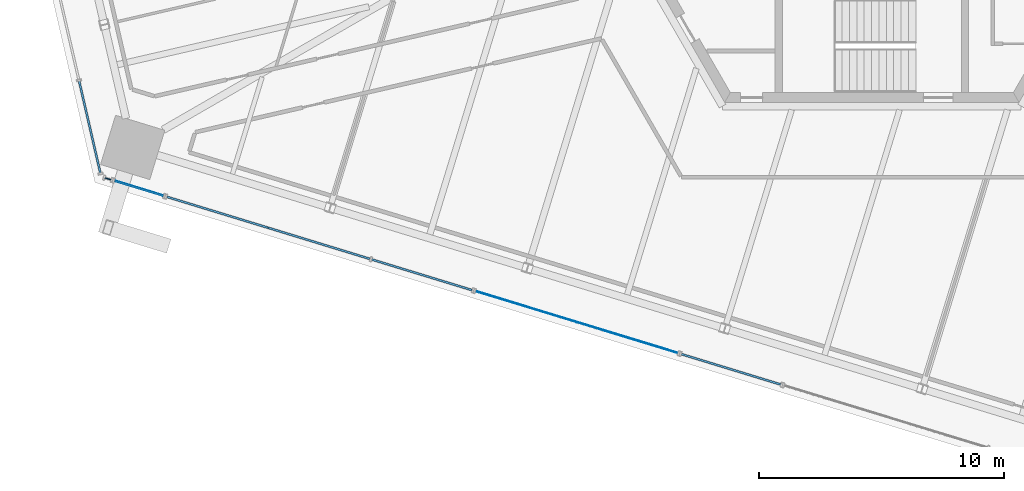
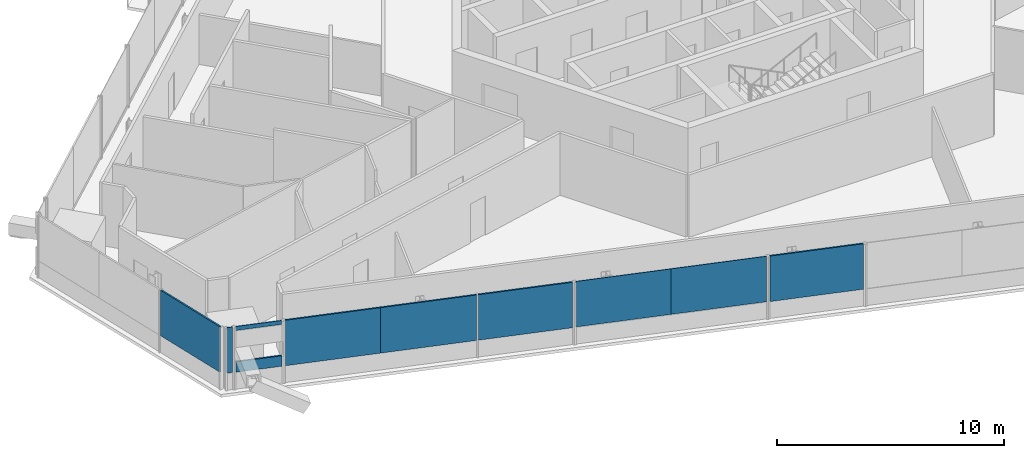
# One storey, part 13 of 25: 10 plates, 7 elements without a shape of their own.
"""IFC4 building model written with IfcOpenShell, lengths in metres."""

from ifc_helpers import new_model, si_unit, direction, frame, origin, origin_2d, place, context, subcontext, project, spatial, rectangle, extrude, source, transform, mapped, material, layer, layer_set, type_object, element, aggregate, save


model = new_model("IFC4")

# Units and contexts
model_context = context("Model", 3, precision=1e-05, world=origin(), true_north=direction((0.0, 1.0)))
body_context = subcontext(model_context, "Body", "Model", "MODEL_VIEW")
ifc_project = project(units=[si_unit("LENGTHUNIT", "METRE"), si_unit("AREAUNIT", "SQUARE_METRE"), si_unit("VOLUMEUNIT", "CUBIC_METRE"), si_unit("PLANEANGLEUNIT", "RADIAN"), si_unit("MASSUNIT", "GRAM", prefix="KILO")], contexts=[model_context])

# Site, building, storey
site_placement = place(None, origin())
site = spatial("IfcSite", under=ifc_project, at=site_placement, CompositionType="ELEMENT")
building_placement = place(site_placement, origin())
building = spatial("IfcBuilding", under=site, at=building_placement, Name="Triune Harvest Tower", CompositionType="ELEMENT")
storey_placement = place(building_placement, frame((0.0, 0.0, 130.699951171875)))
storey = spatial("IfcBuildingStorey", under=building, at=storey_placement, Name="L33", CompositionType="ELEMENT", Elevation=130.699951171875)

# Curtain wall, plates
ifc_material_1 = material(Name="Aluminium bronze anodised", Category="aluminium")
curtain_wall_type_1 = type_object("IfcCurtainWallType", Name="CW-7 Tower stick curtain wall with insulated spandrel infill", PredefinedType="NOTDEFINED", material=ifc_material_1)
curtain_wall_1_placement = place(storey_placement, origin())
curtain_wall_1 = element("IfcCurtainWall", 1, at=curtain_wall_1_placement, inside=storey, type_object=curtain_wall_type_1, Name="CW-7 B3-F5 L33 run 301")
ifc_material_2 = material(Name="Insulated spandrel panel, bronze aluminium pan", Category="aluminium")
ifc_layer_1 = layer(ifc_material_2, 0.080078125)
ifc_layer_set_1 = layer_set([ifc_layer_1], Name="Insulated spandrel panel, bronze aluminium pan")
plate_type_1 = type_object("IfcPlateType", Name="SP-1 insulated spandrel panel 80", PredefinedType="CURTAIN_PANEL", material=ifc_layer_set_1)
shared_shape_1 = source(origin(), body_context, "Body", "SweptSolid", [
    extrude(rectangle(XDim=4.311767578125, YDim=0.080078125, at=origin_2d()), origin(), (0.0, 0.0, 1.0), 2.449951171875),
])
plate_1_placement = place(storey_placement, frame((-26.6796875, -14.87353515625, 0.89990234375), z_axis=(0.0, 0.0, 1.0), x_axis=(0.956305018244, -0.292370846839, 0.0)))
plate_1 = element("IfcPlate", 2, at=plate_1_placement, type_object=plate_type_1, Name="CW-7 panel B3-F5 301.1", PredefinedType="CURTAIN_PANEL", context=body_context, shape_type="MappedRepresentation", body=[
    mapped(shared_shape_1, transform((0.0, 0.0, 0.0), scale=1.0)),
])
shared_shape_2 = source(origin(), body_context, "Body", "SweptSolid", [
    extrude(rectangle(XDim=4.349365234375, YDim=0.080078125, at=origin_2d()), origin(), (0.0, 0.0, 1.0), 2.449951171875),
])
plate_2_placement = place(storey_placement, frame((-22.538330078125, -16.1396484375, 0.89990234375), z_axis=(0.0, 0.0, 1.0), x_axis=(0.956305018244, -0.292370846839, 0.0)))
plate_2 = element("IfcPlate", 3, at=plate_2_placement, type_object=plate_type_1, Name="CW-7 panel B3-F5 301.2", PredefinedType="CURTAIN_PANEL", context=body_context, shape_type="MappedRepresentation", body=[
    mapped(shared_shape_2, transform((0.0, 0.0, 0.0), scale=1.0)),
])
shared_shape_3 = source(origin(), body_context, "Body", "SweptSolid", [
    extrude(rectangle(XDim=4.274169921875, YDim=0.080078125, at=origin_2d()), origin(), (0.0, 0.0, 1.0), 2.449951171875),
])
plate_3_placement = place(storey_placement, frame((-18.34326171875, -17.42236328125, 0.89990234375), z_axis=(0.0, 0.0, 1.0), x_axis=(0.956305018244, -0.292370846839, 0.0)))
plate_3 = element("IfcPlate", 4, at=plate_3_placement, type_object=plate_type_1, Name="CW-7 panel B3-F5 301.3", PredefinedType="CURTAIN_PANEL", context=body_context, shape_type="MappedRepresentation", body=[
    mapped(shared_shape_3, transform((0.0, 0.0, 0.0), scale=1.0)),
])
aggregate(curtain_wall_1, [plate_1, plate_2, plate_3])

# Curtain wall, plate
curtain_wall_2_placement = place(storey_placement, origin())
curtain_wall_2 = element("IfcCurtainWall", 5, at=curtain_wall_2_placement, inside=storey, type_object=curtain_wall_type_1, Name="CW-7 B3-F5 L33 run 2301")
shared_shape_4 = source(origin(), body_context, "Body", "SweptSolid", [
    extrude(rectangle(XDim=4.23681640625, YDim=0.080078125, at=origin_2d()), origin(), (0.0, 0.0, 1.0), 2.449951171875),
])
plate_4_placement = place(storey_placement, frame((-5.739990234375, -21.275634765625, 0.89990234375), z_axis=(0.0, 0.0, 1.0), x_axis=(0.956300944942, -0.292384169722, 0.0)))
plate_4 = element("IfcPlate", 6, at=plate_4_placement, type_object=plate_type_1, Name="CW-7 panel B3-F5 2301.1", PredefinedType="CURTAIN_PANEL", context=body_context, shape_type="MappedRepresentation", body=[
    mapped(shared_shape_4, transform((0.0, 0.0, 0.0), scale=1.0)),
])
aggregate(curtain_wall_2, [plate_4])

# Curtain wall, plates
ifc_material_3 = material(Name="Aluminium bronze anodised", Category="aluminium")
curtain_wall_type_2 = type_object("IfcCurtainWallType", Name="CW-1 Tower stick curtain wall", PredefinedType="NOTDEFINED", material=ifc_material_3)
curtain_wall_3_placement = place(storey_placement, origin())
curtain_wall_3 = element("IfcCurtainWall", 7, at=curtain_wall_3_placement, inside=storey, type_object=curtain_wall_type_2, Name="CW-1 B3-F5 L33 run 1301")
ifc_material_4 = material(Name="Glass", Category="glass")
ifc_layer_2 = layer(ifc_material_4, 0.031982421875)
ifc_layer_set_2 = layer_set([ifc_layer_2], Name="Glass")
plate_type_2 = type_object("IfcPlateType", Name="GL-1 panel 32", PredefinedType="CURTAIN_PANEL", material=ifc_layer_set_2)
shared_shape_5 = source(origin(), body_context, "Body", "SweptSolid", [
    extrude(rectangle(XDim=4.311767578125, YDim=0.031982421875, at=origin_2d()), origin(), (0.0, 0.0, 1.0), 2.449951171875),
])
plate_5_placement = place(storey_placement, frame((-14.094482421875, -18.721435546875, 0.89990234375), z_axis=(0.0, 0.0, 1.0), x_axis=(0.95630289369, -0.292377795875, 0.0)))
plate_5 = element("IfcPlate", 8, at=plate_5_placement, type_object=plate_type_2, Name="CW-1 panel B3-F5 1301.1", PredefinedType="CURTAIN_PANEL", context=body_context, shape_type="MappedRepresentation", body=[
    mapped(shared_shape_5, transform((0.0, 0.0, 0.0), scale=1.0)),
])
plate_6_placement = place(storey_placement, frame((-9.970947265625, -19.98193359375, 0.89990234375), z_axis=(0.0, 0.0, 1.0), x_axis=(0.95630289369, -0.292377795875, 0.0)))
plate_6 = element("IfcPlate", 9, at=plate_6_placement, type_object=plate_type_2, Name="CW-1 panel B3-F5 1301.2", PredefinedType="CURTAIN_PANEL", context=body_context, shape_type="MappedRepresentation", body=[
    mapped(shared_shape_5, transform((0.0, 0.0, 0.0), scale=1.0)),
])
aggregate(curtain_wall_3, [plate_5, plate_6])

# Curtain wall, plate
curtain_wall_4_placement = place(storey_placement, origin())
curtain_wall_4 = element("IfcCurtainWall", 10, at=curtain_wall_4_placement, inside=storey, type_object=curtain_wall_type_1, Name="CW-7 B3-F5 L33 run 101")
shared_shape_6 = source(origin(), body_context, "Body", "SweptSolid", [
    extrude(rectangle(XDim=2.082275390625, YDim=0.080078125, at=origin_2d()), origin(), (0.0, 0.0, 1.0), 0.56494140625),
])
plate_7_placement = place(storey_placement, frame((-29.88037109375, -13.89501953125, 0.900146484375), z_axis=(0.0, 0.0, 1.0), x_axis=(0.95631017753, -0.292353970989, 0.0)))
plate_7 = element("IfcPlate", 11, at=plate_7_placement, type_object=plate_type_1, Name="CW-7 panel B3-F5 101.1", PredefinedType="CURTAIN_PANEL", context=body_context, shape_type="MappedRepresentation", body=[
    mapped(shared_shape_6, transform((0.0, 0.0, 0.0), scale=1.0)),
])
aggregate(curtain_wall_4, [plate_7])

curtain_wall_5_placement = place(storey_placement, origin())
curtain_wall_5 = element("IfcCurtainWall", 12, at=curtain_wall_5_placement, inside=storey, type_object=curtain_wall_type_2, Name="CW-1 B3-F5 L33 run 201")
shared_shape_7 = source(origin(), body_context, "Body", "SweptSolid", [
    extrude(rectangle(XDim=2.082275390625, YDim=0.031982421875, at=origin_2d()), origin(), (0.0, 0.0, 1.0), 0.215087890625),
])
plate_8_placement = place(storey_placement, frame((-29.88037109375, -13.89501953125, 3.134765625), z_axis=(0.0, 0.0, 1.0), x_axis=(0.95631017753, -0.292353970989, 0.0)))
plate_8 = element("IfcPlate", 13, at=plate_8_placement, type_object=plate_type_2, Name="CW-1 panel B3-F5 201.1", PredefinedType="CURTAIN_PANEL", context=body_context, shape_type="MappedRepresentation", body=[
    mapped(shared_shape_7, transform((0.0, 0.0, 0.0), scale=1.0)),
])
aggregate(curtain_wall_5, [plate_8])

curtain_wall_6_placement = place(storey_placement, origin())
curtain_wall_6 = element("IfcCurtainWall", 14, at=curtain_wall_6_placement, inside=storey, type_object=curtain_wall_type_2, Name="CW-1 B3-F5 L33 run 1")
shared_shape_8 = source(origin(), body_context, "Body", "SweptSolid", [
    extrude(rectangle(XDim=0.251708984375, YDim=0.031982421875, at=origin_2d()), origin(), (0.0, 0.0, 1.0), 2.449951171875),
])
plate_9_placement = place(storey_placement, frame((-31.139892578125, -13.510009765625, 0.89990234375), z_axis=(0.0, 0.0, 1.0), x_axis=(0.956278117665, -0.292458820477, 0.0)))
plate_9 = element("IfcPlate", 15, at=plate_9_placement, type_object=plate_type_2, Name="CW-1 panel B3-F5 1.1", PredefinedType="CURTAIN_PANEL", context=body_context, shape_type="MappedRepresentation", body=[
    mapped(shared_shape_8, transform((0.0, 0.0, 0.0), scale=1.0)),
])
aggregate(curtain_wall_6, [plate_9])

curtain_wall_7_placement = place(storey_placement, origin())
curtain_wall_7 = element("IfcCurtainWall", 16, at=curtain_wall_7_placement, inside=storey, type_object=curtain_wall_type_1, Name="CW-7 B3-F4 L33 run 1")
shared_shape_9 = source(origin(), body_context, "Body", "SweptSolid", [
    extrude(rectangle(XDim=3.83642578125, YDim=0.080078125, at=origin_2d()), origin(), (0.0, 0.0, 1.0), 2.449951171875),
])
plate_10_placement = place(storey_placement, frame((-31.88671875, -11.395263671875, 0.89990234375), z_axis=(0.0, 0.0, 1.0), x_axis=(0.224946950683, -0.974371012181, 0.0)))
plate_10 = element("IfcPlate", 17, at=plate_10_placement, type_object=plate_type_1, Name="CW-7 panel B3-F4 1.3", PredefinedType="CURTAIN_PANEL", context=body_context, shape_type="MappedRepresentation", body=[
    mapped(shared_shape_9, transform((0.0, 0.0, 0.0), scale=1.0)),
])
aggregate(curtain_wall_7, [plate_10])

save(model, "model.ifc")
